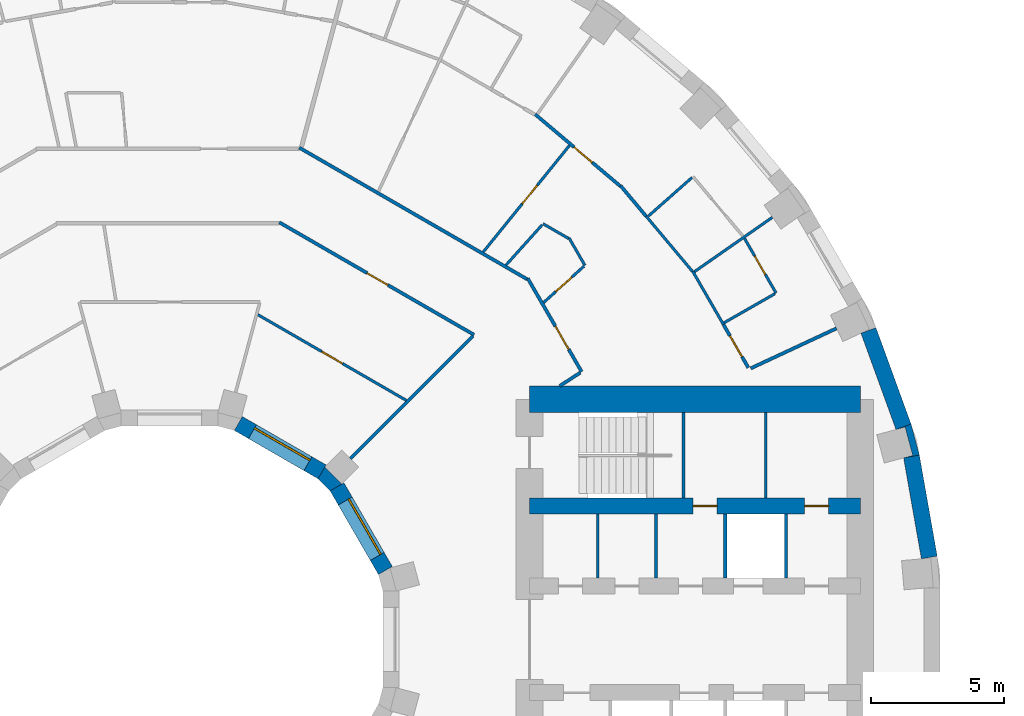
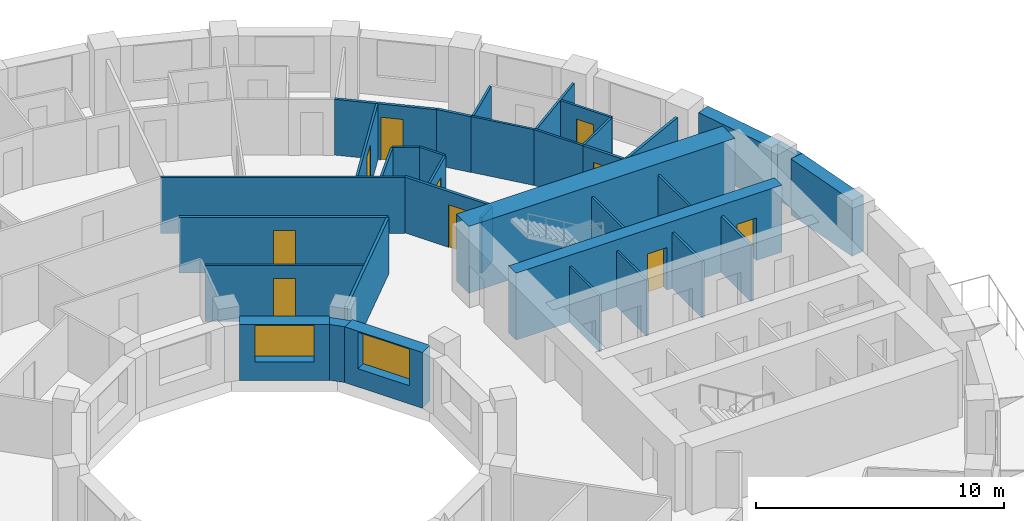
# One storey, part 12 of 15: 35 walls, 10 doors, 2 windows, 12 openings.
"""IFC4 building model written with IfcOpenShell, lengths in metres."""

from ifc_helpers import new_model, si_unit, direction, frame, frame_2d, origin, place, context, subcontext, project, spatial, polyline, rectangle, outline, extrude, material, layer, layer_set, type_object, element, fill, save


model = new_model("IFC4")

# Units and contexts
model_context = context("Model", 3, precision=1e-05, world=origin(), true_north=direction((0.0, 1.0)))
body_context = subcontext(model_context, "Body", "Model", "MODEL_VIEW")
ifc_project = project(units=[si_unit("LENGTHUNIT", "METRE"), si_unit("AREAUNIT", "SQUARE_METRE"), si_unit("VOLUMEUNIT", "CUBIC_METRE"), si_unit("PLANEANGLEUNIT", "RADIAN"), si_unit("MASSUNIT", "GRAM", prefix="KILO")], contexts=[model_context])

# Site, building, storey
site_placement = place(None, origin())
site = spatial("IfcSite", under=ifc_project, at=site_placement, CompositionType="ELEMENT")
building_placement = place(site_placement, origin())
building = spatial("IfcBuilding", under=site, at=building_placement, Name="Saqina Gate Tower", CompositionType="ELEMENT")
storey_placement = place(building_placement, frame((0.0, 0.0, 39.5)))
storey = spatial("IfcBuildingStorey", under=building, at=storey_placement, Name="L10", CompositionType="ELEMENT", Elevation=39.5)

# Walls
ifc_material_1 = material(Name="Brick masonry (red)", Category="masonry")
wall_type_1 = type_object("IfcWallType", Name="BRICK PIER COPING RED", PredefinedType="SOLIDWALL", material=ifc_material_1)
wall_1_placement = place(storey_placement, origin())
element("IfcWall", 1, at=wall_1_placement, inside=storey, type_object=wall_type_1, Name="Pier cap L10 column 2", PredefinedType="SOLIDWALL", context=body_context, shape_type="SweptSolid", body=[
    extrude(outline(polyline([(28.11669921875, 6.910400390625), (27.80517578125, 8.073974609375), (27.2412109375, 7.86865234375), (27.57958984375, 7.95947265625), (27.864501953125, 6.896728515625), (27.52587890625, 6.80615234375), (28.11669921875, 6.910400390625)])), origin(), (0.0, 0.0, 1.0), 2.75),
])
ifc_material_2 = material(Name="Gypsum board on steel studs", Category="steel")
ifc_layer_1 = layer(ifc_material_2, 0.10009765625)
ifc_layer_set_1 = layer_set([ifc_layer_1], Name="CORE PARTITION")
wall_type_2 = type_object("IfcWallType", Name="CORE PARTITION", PredefinedType="PARTITIONING", material=ifc_layer_set_1)
for number, where, z_axis, x_axis, name in (
    (2, (16.052001953125, 2.300048828125, 0.0), (0.0, 0.0, 1.0), (0.0, 1.0, 0.0), "L10-CP-E01"),
    (3, (18.24072265625, 2.300048828125, 0.0), (0.0, 0.0, 1.0), (0.0, 1.0, 0.0), "L10-CP-E02"),
):
    element("IfcWall", number, at=place(storey_placement, frame(where, z_axis=z_axis, x_axis=x_axis)), inside=storey, type_object=wall_type_2, Name=name, PredefinedType="PARTITIONING", context=body_context, shape_type="SweptSolid", body=[
        extrude(rectangle(XDim=2.39990234375, YDim=0.10009765625, at=frame_2d((1.199951171875, 0.0))), origin(), (0.0, 0.0, 1.0), 2.75),
    ])
wall_2_placement = place(storey_placement, frame((22.360107421875, 5.300048828125, 0.0), z_axis=(0.0, 0.0, 1.0), x_axis=(0.0, 1.0, 0.0)))
element("IfcWall", 4, at=wall_2_placement, inside=storey, type_object=wall_type_2, Name="L10-CP-E11", PredefinedType="PARTITIONING", context=body_context, shape_type="SweptSolid", body=[
    extrude(rectangle(XDim=3.199951171875, YDim=0.10009765625, at=frame_2d((1.60009765625, 0.0))), origin(), (0.0, 0.0, 1.0), 2.75),
])
ifc_material_3 = material(Name="Glazed ceramic tile", Category="ceramic")
ifc_layer_2 = layer(ifc_material_3, 0.60009765625)
ifc_layer_set_2 = layer_set([ifc_layer_2], Name="FW-TILE")
wall_type_3 = type_object("IfcWallType", Name="FW-TILE", PredefinedType="SOLIDWALL", material=ifc_layer_set_2)
wall_3_placement = place(storey_placement, frame((28.4892578125, 3.07080078125, 0.0), z_axis=(0.0, 0.0, 1.0), x_axis=(-0.173687553279, 0.984800809218, 0.0)))
element("IfcWall", 5, at=wall_3_placement, inside=storey, type_object=wall_type_3, Name="Facade wall L10 facet 1", PredefinedType="SOLIDWALL", context=body_context, shape_type="SweptSolid", body=[
    extrude(rectangle(XDim=3.845703125, YDim=0.60009765625, at=frame_2d((1.9228515625, 0.0))), origin(), (0.0, 0.0, 1.0), 2.75),
])
ifc_material_4 = material(Name="Glazed ceramic tile (white)", Category="ceramic")
ifc_layer_3 = layer(ifc_material_4, 0.60009765625)
ifc_layer_set_3 = layer_set([ifc_layer_3], Name="FW-TILE-WH")
wall_type_4 = type_object("IfcWallType", Name="FW-TILE-WH", PredefinedType="SOLIDWALL", material=ifc_layer_set_3)
wall_4_placement = place(storey_placement, frame((27.523193359375, 7.97119140625, 0.0), z_axis=(0.0, 0.0, 1.0), x_axis=(-0.342028474173, 0.939689588564, 0.0)))
element("IfcWall", 6, at=wall_4_placement, inside=storey, type_object=wall_type_4, Name="Facade wall L10 facet 2", PredefinedType="SOLIDWALL", context=body_context, shape_type="SweptSolid", body=[
    extrude(rectangle(XDim=3.845947265625, YDim=0.60009765625, at=frame_2d((1.9228515625, 0.0))), origin(), (0.0, 0.0, 1.0), 2.75),
])

# Wall, opening, window
ifc_material_5 = material(Name="Glazed ceramic tile", Category="ceramic")
ifc_layer_4 = layer(ifc_material_5, 0.60009765625)
ifc_layer_set_4 = layer_set([ifc_layer_4], Name="IW-TILE")
wall_type_5 = type_object("IfcWallType", Name="IW-TILE", PredefinedType="SOLIDWALL", material=ifc_layer_set_4)
wall_5_placement = place(storey_placement, frame((8.09423828125, 2.580322265625, 0.0), z_axis=(0.0, 0.0, 1.0), x_axis=(-0.499992569217, 0.866029693906, 0.0)))
wall_5 = element("IfcWall", 7, at=wall_5_placement, inside=storey, type_object=wall_type_5, Name="Well wall L10 facet 1", PredefinedType="SOLIDWALL", context=body_context, shape_type="SweptSolid", body=[
    extrude(rectangle(XDim=3.625, YDim=0.60009765625, at=frame_2d((1.8125, 0.0))), origin(), (0.0, 0.0, 1.0), 2.75),
])
opening_1_placement = place(wall_5_placement, frame((0.612548828125, 0.0, 0.89990234375)))
opening_1 = element("IfcOpeningElement", 8, at=opening_1_placement, cuts=wall_5, Name="Opening G02-W23", PredefinedType="OPENING", context=body_context, shape_type="SweptSolid", body=[
    extrude(rectangle(XDim=2.39990234375, YDim=1.800048828125, at=frame_2d((1.199951171875, 0.89990234375))), frame((0.0, 0.31201171875, 0.0), z_axis=(0.0, -1.0, 0.0), x_axis=(1.0, 0.0, 0.0)), (0.0, 0.0, 1.0), 0.6240234375),
])
ifc_material_6 = material(Name="Aluminium glazing", Category="aluminium")
window_type = type_object("IfcWindowType", Name="WN-W", PartitioningType="SINGLE_PANEL", PredefinedType="WINDOW", material=ifc_material_6)
window_1_placement = place(opening_1_placement, origin())
window_1 = element("IfcWindow", 9, at=window_1_placement, inside=storey, type_object=window_type, Name="Well window L10 facet 1", OverallHeight=1.800048828125, OverallWidth=2.39990234375, PartitioningType="SINGLE_PANEL", PredefinedType="WINDOW", context=body_context, shape_type="SweptSolid", body=[
    extrude(rectangle(XDim=2.39990234375, YDim=1.800048828125, at=frame_2d((1.199951171875, 0.89990234375))), frame((0.0, -0.119873046875, 0.0), z_axis=(0.0, -1.0, 0.0), x_axis=(1.0, 0.0, 0.0)), (0.0, 0.0, 1.0), 0.06005859375),
])
fill(opening_1, window_1)

wall_6_placement = place(storey_placement, frame((5.7197265625, 6.28173828125, 0.0), z_axis=(0.0, 0.0, 1.0), x_axis=(-0.866029693906, 0.499992569217, 0.0)))
wall_6 = element("IfcWall", 10, at=wall_6_placement, inside=storey, type_object=wall_type_5, Name="Well wall L10 facet 2", PredefinedType="SOLIDWALL", context=body_context, shape_type="SweptSolid", body=[
    extrude(rectangle(XDim=3.625, YDim=0.60009765625, at=frame_2d((1.8125, 0.0))), origin(), (0.0, 0.0, 1.0), 2.75),
])
opening_2_placement = place(wall_6_placement, frame((0.612548828125, 0.0, 0.89990234375)))
opening_2 = element("IfcOpeningElement", 11, at=opening_2_placement, cuts=wall_6, Name="Opening G02-W24", PredefinedType="OPENING", context=body_context, shape_type="SweptSolid", body=[
    extrude(rectangle(XDim=2.39990234375, YDim=1.800048828125, at=frame_2d((1.199951171875, 0.89990234375))), frame((0.0, 0.31201171875, 0.0), z_axis=(0.0, -1.0, 0.0), x_axis=(1.0, 0.0, 0.0)), (0.0, 0.0, 1.0), 0.6240234375),
])
window_2_placement = place(opening_2_placement, origin())
window_2 = element("IfcWindow", 12, at=window_2_placement, inside=storey, type_object=window_type, Name="Well window L10 facet 2", OverallHeight=1.800048828125, OverallWidth=2.39990234375, PartitioningType="SINGLE_PANEL", PredefinedType="WINDOW", context=body_context, shape_type="SweptSolid", body=[
    extrude(rectangle(XDim=2.39990234375, YDim=1.800048828125, at=frame_2d((1.199951171875, 0.89990234375))), frame((0.0, -0.119873046875, 0.0), z_axis=(0.0, -1.0, 0.0), x_axis=(1.0, 0.0, 0.0)), (0.0, 0.0, 1.0), 0.06005859375),
])
fill(opening_2, window_2)

# Walls
ifc_material_7 = material(Name="Gypsum board on steel studs, 100 mm", Category="steel")
ifc_layer_5 = layer(ifc_material_7, 0.10009765625)
ifc_layer_set_5 = layer_set([ifc_layer_5], Name="PARTITION 100")
wall_type_6 = type_object("IfcWallType", Name="PARTITION 100", PredefinedType="PARTITIONING", material=ifc_layer_set_5)
wall_7_placement = place(storey_placement, frame((14.97802734375, 15.056884765625, 0.0), z_axis=(0.0, 0.0, 1.0), x_axis=(0.500342374835, -0.865827643324, 0.0)))
element("IfcWall", 13, at=wall_7_placement, inside=storey, type_object=wall_type_6, Name="PARTITION PW3-25", PredefinedType="PARTITIONING", context=body_context, shape_type="SweptSolid", body=[
    extrude(rectangle(XDim=1.193115234375, YDim=0.10009765625, at=frame_2d((0.5966796875, 0.0))), origin(), (0.0, 0.0, 1.0), 2.75),
])
wall_8_placement = place(storey_placement, frame((19.61865234375, 13.799072265625, 0.0), z_axis=(0.0, 0.0, 1.0), x_axis=(0.500055369823, -0.865993433642, 0.0)))
element("IfcWall", 14, at=wall_8_placement, inside=storey, type_object=wall_type_6, Name="PARTITION PW3-26", PredefinedType="PARTITIONING", context=body_context, shape_type="SweptSolid", body=[
    extrude(rectangle(XDim=2.306396484375, YDim=0.10009765625, at=frame_2d((1.1533203125, 0.0))), origin(), (0.0, 0.0, 1.0), 2.75),
])

# Wall, opening, door
wall_9_placement = place(storey_placement, frame((21.56005859375, 15.03564453125, 0.0), z_axis=(0.0, 0.0, 1.0), x_axis=(0.499987246797, -0.866032766724, 0.0)))
wall_9 = element("IfcWall", 15, at=wall_9_placement, inside=storey, type_object=wall_type_6, Name="PARTITION PW3-27", PredefinedType="PARTITIONING", context=body_context, shape_type="SweptSolid", body=[
    extrude(rectangle(XDim=2.36767578125, YDim=0.10009765625, at=frame_2d((1.183837890625, 0.0))), origin(), (0.0, 0.0, 1.0), 2.75),
])
opening_3_placement = place(wall_9_placement, frame((0.759033203125, 0.0, 0.0)))
opening_3 = element("IfcOpeningElement", 16, at=opening_3_placement, cuts=wall_9, Name="Opening G02-D02", PredefinedType="OPENING", context=body_context, shape_type="SweptSolid", body=[
    extrude(rectangle(XDim=0.800048828125, YDim=2.10009765625, at=frame_2d((0.39990234375, 1.050048828125))), frame((0.0, 0.06201171875, 0.0), z_axis=(0.0, -1.0, 0.0), x_axis=(1.0, 0.0, 0.0)), (0.0, 0.0, 1.0), 0.1240234375),
])
ifc_material_8 = material(Name="Timber door leaf, 800 mm", Category="wood")
door_type_1 = type_object("IfcDoorType", Name="DOOR 800 TIMBER", OperationType="SINGLE_SWING_LEFT", PredefinedType="DOOR", material=ifc_material_8)
door_1_placement = place(opening_3_placement, origin())
door_1 = element("IfcDoor", 17, at=door_1_placement, inside=storey, type_object=door_type_1, Name="DOOR G02-D02", OperationType="SINGLE_SWING_LEFT", OverallHeight=2.10009765625, OverallWidth=0.800048828125, PredefinedType="DOOR", context=body_context, shape_type="SweptSolid", body=[
    extrude(rectangle(XDim=0.800048828125, YDim=2.10009765625, at=frame_2d((0.39990234375, 1.050048828125))), frame((0.0, 0.02490234375, 0.0), z_axis=(0.0, -1.0, 0.0), x_axis=(1.0, 0.0, 0.0)), (0.0, 0.0, 1.0), 0.050048828125),
])
fill(opening_3, door_1)

# Wall
wall_10_placement = place(storey_placement, frame((17.872802734375, 15.865234375, 0.0), z_axis=(0.0, 0.0, 1.0), x_axis=(0.642870303164, -0.765975047446, 0.0)))
element("IfcWall", 18, at=wall_10_placement, inside=storey, type_object=wall_type_6, Name="PARTITION PW3-32", PredefinedType="PARTITIONING", context=body_context, shape_type="SweptSolid", body=[
    extrude(rectangle(XDim=2.705078125, YDim=0.10009765625, at=frame_2d((1.3525390625, 0.0))), origin(), (0.0, 0.0, 1.0), 2.75),
])

# Wall, opening, door
wall_11_placement = place(storey_placement, frame((3.312744140625, 12.1748046875, 0.0), z_axis=(0.0, 0.0, 1.0), x_axis=(0.866015366624, -0.500017384468, 0.0)))
wall_11 = element("IfcWall", 19, at=wall_11_placement, inside=storey, type_object=wall_type_6, Name="PARTITION PW3-45", PredefinedType="PARTITIONING", context=body_context, shape_type="SweptSolid", body=[
    extrude(rectangle(XDim=6.425048828125, YDim=0.10009765625, at=frame_2d((3.21240234375, 0.0))), origin(), (0.0, 0.0, 1.0), 2.75),
])
opening_4_placement = place(wall_11_placement, frame((2.7685546875, 0.0, 0.0)))
opening_4 = element("IfcOpeningElement", 20, at=opening_4_placement, cuts=wall_11, Name="Opening G02-D09", PredefinedType="OPENING", context=body_context, shape_type="SweptSolid", body=[
    extrude(rectangle(XDim=0.89990234375, YDim=2.10009765625, at=frame_2d((0.449951171875, 1.050048828125))), frame((0.0, 0.06201171875, 0.0), z_axis=(0.0, -1.0, 0.0), x_axis=(1.0, 0.0, 0.0)), (0.0, 0.0, 1.0), 0.1240234375),
])
ifc_material_9 = material(Name="Timber door leaf, 900 mm", Category="wood")
door_type_2 = type_object("IfcDoorType", Name="DOOR 900 TIMBER", OperationType="SINGLE_SWING_LEFT", PredefinedType="DOOR", material=ifc_material_9)
door_2_placement = place(opening_4_placement, origin())
door_2 = element("IfcDoor", 21, at=door_2_placement, inside=storey, type_object=door_type_2, Name="DOOR G02-D09", OperationType="SINGLE_SWING_RIGHT", OverallHeight=2.10009765625, OverallWidth=0.89990234375, PredefinedType="DOOR", context=body_context, shape_type="SweptSolid", body=[
    extrude(rectangle(XDim=0.89990234375, YDim=2.10009765625, at=frame_2d((0.449951171875, 1.050048828125))), frame((0.0, 0.02490234375, 0.0), z_axis=(0.0, -1.0, 0.0), x_axis=(1.0, 0.0, 0.0)), (0.0, 0.0, 1.0), 0.050048828125),
])
fill(opening_4, door_2)

# Walls
wall_12_placement = place(storey_placement, frame((14.008056640625, 15.5830078125, 0.0), z_axis=(0.0, 0.0, 1.0), x_axis=(0.866288740656, -0.49954360952, 0.0)))
element("IfcWall", 22, at=wall_12_placement, inside=storey, type_object=wall_type_6, Name="PARTITION PW3-46", PredefinedType="PARTITIONING", context=body_context, shape_type="SweptSolid", body=[
    extrude(rectangle(XDim=1.10302734375, YDim=0.10009765625, at=frame_2d((0.551513671875, 0.0))), origin(), (0.0, 0.0, 1.0), 2.75),
])
wall_13_placement = place(storey_placement, frame((20.79052734375, 11.869873046875, 0.0), z_axis=(0.0, 0.0, 1.0), x_axis=(0.86847529617, 0.495732447942, 0.0)))
element("IfcWall", 23, at=wall_13_placement, inside=storey, type_object=wall_type_6, Name="PARTITION PW3-74", PredefinedType="PARTITIONING", context=body_context, shape_type="SweptSolid", body=[
    extrude(rectangle(XDim=2.199462890625, YDim=0.10009765625, at=frame_2d((1.099609375, 0.0))), origin(), (0.0, 0.0, 1.0), 2.75),
])
wall_14_placement = place(storey_placement, frame((19.6826171875, 13.786865234375, 0.0), z_axis=(0.0, 0.0, 1.0), x_axis=(0.820194321254, 0.57208502461, 0.0)))
element("IfcWall", 24, at=wall_14_placement, inside=storey, type_object=wall_type_6, Name="PARTITION PW3-83", PredefinedType="PARTITIONING", context=body_context, shape_type="SweptSolid", body=[
    extrude(rectangle(XDim=3.55908203125, YDim=0.10009765625, at=frame_2d((1.779541015625, 0.0))), origin(), (0.0, 0.0, 1.0), 2.75),
])
wall_15_placement = place(storey_placement, frame((17.951904296875, 15.868408203125, 0.0), z_axis=(0.0, 0.0, 1.0), x_axis=(0.749222226859, 0.662318695781, 0.0)))
element("IfcWall", 25, at=wall_15_placement, inside=storey, type_object=wall_type_6, Name="PARTITION PW3-87", PredefinedType="PARTITIONING", context=body_context, shape_type="SweptSolid", body=[
    extrude(rectangle(XDim=2.1884765625, YDim=0.10009765625, at=frame_2d((1.09423828125, 0.0))), origin(), (0.0, 0.0, 1.0), 2.75),
])

# Wall, opening, door
wall_16_placement = place(storey_placement, frame((14.0263671875, 12.62890625, 0.0), z_axis=(0.0, 0.0, 1.0), x_axis=(0.742989731373, 0.669302815678, 0.0)))
wall_16 = element("IfcWall", 26, at=wall_16_placement, inside=storey, type_object=wall_type_6, Name="PARTITION PW3-88", PredefinedType="PARTITIONING", context=body_context, shape_type="SweptSolid", body=[
    extrude(rectangle(XDim=2.034423828125, YDim=0.10009765625, at=frame_2d((1.01708984375, 0.0))), origin(), (0.0, 0.0, 1.0), 2.75),
])
opening_5_placement = place(wall_16_placement, frame((0.61083984375, 0.0, 0.0)))
opening_5 = element("IfcOpeningElement", 27, at=opening_5_placement, cuts=wall_16, Name="Opening G02-D05", PredefinedType="OPENING", context=body_context, shape_type="SweptSolid", body=[
    extrude(rectangle(XDim=0.800048828125, YDim=2.10009765625, at=frame_2d((0.39990234375, 1.050048828125))), frame((0.0, 0.06201171875, 0.0), z_axis=(0.0, -1.0, 0.0), x_axis=(1.0, 0.0, 0.0)), (0.0, 0.0, 1.0), 0.1240234375),
])
door_3_placement = place(opening_5_placement, frame((0.800048828125, 0.0, 0.0), z_axis=(0.0, 0.0, 1.0), x_axis=(-1.0, 0.0, 0.0)))
door_3 = element("IfcDoor", 28, at=door_3_placement, inside=storey, type_object=door_type_1, Name="DOOR G02-D05", OperationType="SINGLE_SWING_RIGHT", OverallHeight=2.10009765625, OverallWidth=0.800048828125, PredefinedType="DOOR", context=body_context, shape_type="SweptSolid", body=[
    extrude(rectangle(XDim=0.800048828125, YDim=2.10009765625, at=frame_2d((0.39990234375, 1.050048828125))), frame((0.0, 0.02490234375, 0.0), z_axis=(0.0, -1.0, 0.0), x_axis=(1.0, 0.0, 0.0)), (0.0, 0.0, 1.0), 0.050048828125),
])
fill(opening_5, door_3)

# Wall
wall_17_placement = place(storey_placement, frame((12.615966796875, 14.03369140625, 0.0), z_axis=(0.0, 0.0, 1.0), x_axis=(0.668327519136, 0.743867143491, 0.0)))
element("IfcWall", 29, at=wall_17_placement, inside=storey, type_object=wall_type_6, Name="PARTITION PW3-90", PredefinedType="PARTITIONING", context=body_context, shape_type="SweptSolid", body=[
    extrude(rectangle(XDim=2.032958984375, YDim=0.10009765625, at=frame_2d((1.0166015625, 0.0))), origin(), (0.0, 0.0, 1.0), 2.75),
])

# Wall, opening, door
wall_18_placement = place(storey_placement, frame((11.763427734375, 14.526611328125, 0.0), z_axis=(0.0, 0.0, 1.0), x_axis=(0.629330794749, 0.777137536592, 0.0)))
wall_18 = element("IfcWall", 30, at=wall_18_placement, inside=storey, type_object=wall_type_6, Name="PARTITION PW3-94", PredefinedType="PARTITIONING", context=body_context, shape_type="SweptSolid", body=[
    extrude(rectangle(XDim=5.138671875, YDim=0.10009765625, at=frame_2d((2.5693359375, 0.0))), origin(), (0.0, 0.0, 1.0), 2.75),
])
opening_6_placement = place(wall_18_placement, frame((2.319580078125, 0.0, 0.0)))
opening_6 = element("IfcOpeningElement", 31, at=opening_6_placement, cuts=wall_18, Name="Opening G02-D07", PredefinedType="OPENING", context=body_context, shape_type="SweptSolid", body=[
    extrude(rectangle(XDim=0.89990234375, YDim=2.10009765625, at=frame_2d((0.449951171875, 1.050048828125))), frame((0.0, 0.06201171875, 0.0), z_axis=(0.0, -1.0, 0.0), x_axis=(1.0, 0.0, 0.0)), (0.0, 0.0, 1.0), 0.1240234375),
])
door_4_placement = place(opening_6_placement, frame((0.89990234375, 0.0, 0.0), z_axis=(0.0, 0.0, 1.0), x_axis=(-1.0, 0.0, 0.0)))
door_4 = element("IfcDoor", 32, at=door_4_placement, inside=storey, type_object=door_type_2, Name="DOOR G02-D07", OperationType="SINGLE_SWING_LEFT", OverallHeight=2.10009765625, OverallWidth=0.89990234375, PredefinedType="DOOR", context=body_context, shape_type="SweptSolid", body=[
    extrude(rectangle(XDim=0.89990234375, YDim=2.10009765625, at=frame_2d((0.449951171875, 1.050048828125))), frame((0.0, 0.02490234375, 0.0), z_axis=(0.0, -1.0, 0.0), x_axis=(1.0, 0.0, 0.0)), (0.0, 0.0, 1.0), 0.050048828125),
])
fill(opening_6, door_4)

ifc_material_10 = material(Name="Gypsum board on steel studs, 125 mm, fire rated", Category="steel")
ifc_layer_6 = layer(ifc_material_10, 0.125)
ifc_layer_set_6 = layer_set([ifc_layer_6], Name="PARTITION EI 30 125")
wall_type_7 = type_object("IfcWallType", Name="PARTITION EI 30 125", PredefinedType="PARTITIONING", material=ifc_layer_set_6)
wall_19_placement = place(storey_placement, frame((13.433837890625, 13.532470703125, 0.0), z_axis=(0.0, 0.0, 1.0), x_axis=(0.499949220301, -0.866054719472, 0.0)))
wall_19 = element("IfcWall", 33, at=wall_19_placement, inside=storey, type_object=wall_type_7, Name="PARTITION PW1-04", PredefinedType="PARTITIONING", context=body_context, shape_type="SweptSolid", body=[
    extrude(rectangle(XDim=4.03857421875, YDim=0.125, at=frame_2d((2.019287109375, 0.0))), origin(), (0.0, 0.0, 1.0), 2.75),
])
opening_7_placement = place(wall_19_placement, frame((2.065185546875, 0.0, 0.0)))
opening_7 = element("IfcOpeningElement", 34, at=opening_7_placement, cuts=wall_19, Name="Opening G02-D03", PredefinedType="OPENING", context=body_context, shape_type="SweptSolid", body=[
    extrude(rectangle(XDim=1.0, YDim=2.10009765625, at=frame_2d((0.5, 1.050048828125))), frame((0.0, 0.074462890625, 0.0), z_axis=(0.0, -1.0, 0.0), x_axis=(1.0, 0.0, 0.0)), (0.0, 0.0, 1.0), 0.14892578125),
])
ifc_material_11 = material(Name="Fire door leaf EI 30, 1000 mm")
door_type_3 = type_object("IfcDoorType", Name="DOOR 1000 EI 30", OperationType="SINGLE_SWING_LEFT", PredefinedType="DOOR", material=ifc_material_11)
door_5_placement = place(opening_7_placement, origin())
door_5 = element("IfcDoor", 35, at=door_5_placement, inside=storey, type_object=door_type_3, Name="DOOR G02-D03", OperationType="SINGLE_SWING_RIGHT", OverallHeight=2.10009765625, OverallWidth=1.0, PredefinedType="DOOR", context=body_context, shape_type="SweptSolid", body=[
    extrude(rectangle(XDim=1.0, YDim=2.10009765625, at=frame_2d((0.5, 1.050048828125))), frame((0.0, 0.02490234375, 0.0), z_axis=(0.0, -1.0, 0.0), x_axis=(1.0, 0.0, 0.0)), (0.0, 0.0, 1.0), 0.050048828125),
])
fill(opening_7, door_5)

wall_20_placement = place(storey_placement, frame((20.77197265625, 11.8017578125, 0.0), z_axis=(0.0, 0.0, 1.0), x_axis=(0.499862453367, -0.866104801807, 0.0)))
wall_20 = element("IfcWall", 36, at=wall_20_placement, inside=storey, type_object=wall_type_7, Name="PARTITION PW1-05", PredefinedType="PARTITIONING", context=body_context, shape_type="SweptSolid", body=[
    extrude(rectangle(XDim=1.86181640625, YDim=0.125, at=frame_2d((0.930908203125, 0.0))), origin(), (0.0, 0.0, 1.0), 2.75),
])
opening_8_placement = place(wall_20_placement, frame((0.486083984375, 0.0, 0.0)))
opening_8 = element("IfcOpeningElement", 37, at=opening_8_placement, cuts=wall_20, Name="Opening G02-D01", PredefinedType="OPENING", context=body_context, shape_type="SweptSolid", body=[
    extrude(rectangle(XDim=0.89990234375, YDim=2.10009765625, at=frame_2d((0.449951171875, 1.050048828125))), frame((0.0, 0.074462890625, 0.0), z_axis=(0.0, -1.0, 0.0), x_axis=(1.0, 0.0, 0.0)), (0.0, 0.0, 1.0), 0.14892578125),
])
ifc_material_12 = material(Name="Fire door leaf EI 30, 900 mm")
door_type_4 = type_object("IfcDoorType", Name="DOOR 900 EI 30", OperationType="SINGLE_SWING_LEFT", PredefinedType="DOOR", material=ifc_material_12)
door_6_placement = place(opening_8_placement, frame((0.89990234375, 0.0, 0.0), z_axis=(0.0, 0.0, 1.0), x_axis=(-1.0, 0.0, 0.0)))
door_6 = element("IfcDoor", 38, at=door_6_placement, inside=storey, type_object=door_type_4, Name="DOOR G02-D01", OperationType="SINGLE_SWING_LEFT", OverallHeight=2.10009765625, OverallWidth=0.89990234375, PredefinedType="DOOR", context=body_context, shape_type="SweptSolid", body=[
    extrude(rectangle(XDim=0.89990234375, YDim=2.10009765625, at=frame_2d((0.449951171875, 1.050048828125))), frame((0.0, 0.02490234375, 0.0), z_axis=(0.0, -1.0, 0.0), x_axis=(1.0, 0.0, 0.0)), (0.0, 0.0, 1.0), 0.050048828125),
])
fill(opening_8, door_6)

# Wall
wall_21_placement = place(storey_placement, frame((16.916259765625, 17.005615234375, 0.0), z_axis=(0.0, 0.0, 1.0), x_axis=(0.642649535047, -0.766160280297, 0.0)))
element("IfcWall", 39, at=wall_21_placement, inside=storey, type_object=wall_type_7, Name="PARTITION PW1-08", PredefinedType="PARTITIONING", context=body_context, shape_type="SweptSolid", body=[
    extrude(rectangle(XDim=1.488525390625, YDim=0.125, at=frame_2d((0.744140625, 0.0))), origin(), (0.0, 0.0, 1.0), 2.75),
])

# Wall, opening, door
wall_22_placement = place(storey_placement, frame((13.708984375, 19.689208984375, 0.0), z_axis=(0.0, 0.0, 1.0), x_axis=(0.764384092804, -0.644761164051, 0.0)))
wall_22 = element("IfcWall", 40, at=wall_22_placement, inside=storey, type_object=wall_type_7, Name="PARTITION PW1-11", PredefinedType="PARTITIONING", context=body_context, shape_type="SweptSolid", body=[
    extrude(rectangle(XDim=4.181884765625, YDim=0.125, at=frame_2d((2.0908203125, 0.0))), origin(), (0.0, 0.0, 1.0), 2.75),
])
opening_9_placement = place(wall_22_placement, frame((1.904296875, 0.0, 0.0)))
opening_9 = element("IfcOpeningElement", 41, at=opening_9_placement, cuts=wall_22, Name="Opening G02-D06", PredefinedType="OPENING", context=body_context, shape_type="SweptSolid", body=[
    extrude(rectangle(XDim=0.89990234375, YDim=2.10009765625, at=frame_2d((0.449951171875, 1.050048828125))), frame((0.0, 0.074462890625, 0.0), z_axis=(0.0, -1.0, 0.0), x_axis=(1.0, 0.0, 0.0)), (0.0, 0.0, 1.0), 0.14892578125),
])
door_7_placement = place(opening_9_placement, frame((0.89990234375, 0.0, 0.0), z_axis=(0.0, 0.0, 1.0), x_axis=(-1.0, 0.0, 0.0)))
door_7 = element("IfcDoor", 42, at=door_7_placement, inside=storey, type_object=door_type_4, Name="DOOR G02-D06", OperationType="SINGLE_SWING_RIGHT", OverallHeight=2.10009765625, OverallWidth=0.89990234375, PredefinedType="DOOR", context=body_context, shape_type="SweptSolid", body=[
    extrude(rectangle(XDim=0.89990234375, YDim=2.10009765625, at=frame_2d((0.449951171875, 1.050048828125))), frame((0.0, 0.02490234375, 0.0), z_axis=(0.0, -1.0, 0.0), x_axis=(1.0, 0.0, 0.0)), (0.0, 0.0, 1.0), 0.050048828125),
])
fill(opening_9, door_7)

wall_23_placement = place(storey_placement, frame((4.117431640625, 15.635986328125, 0.0), z_axis=(0.0, 0.0, 1.0), x_axis=(0.866026957163, -0.49999730946, 0.0)))
wall_23 = element("IfcWall", 43, at=wall_23_placement, inside=storey, type_object=wall_type_7, Name="PARTITION PW1-19", PredefinedType="PARTITIONING", context=body_context, shape_type="SweptSolid", body=[
    extrude(rectangle(XDim=8.43212890625, YDim=0.125, at=frame_2d((4.216064453125, 0.0))), origin(), (0.0, 0.0, 1.0), 2.75),
])
opening_10_placement = place(wall_23_placement, frame((3.80224609375, 0.0, 0.0)))
opening_10 = element("IfcOpeningElement", 44, at=opening_10_placement, cuts=wall_23, Name="Opening G02-D10", PredefinedType="OPENING", context=body_context, shape_type="SweptSolid", body=[
    extrude(rectangle(XDim=0.89990234375, YDim=2.10009765625, at=frame_2d((0.449951171875, 1.050048828125))), frame((0.0, 0.074462890625, 0.0), z_axis=(0.0, -1.0, 0.0), x_axis=(1.0, 0.0, 0.0)), (0.0, 0.0, 1.0), 0.14892578125),
])
door_8_placement = place(opening_10_placement, frame((0.89990234375, 0.0, 0.0), z_axis=(0.0, 0.0, 1.0), x_axis=(-1.0, 0.0, 0.0)))
door_8 = element("IfcDoor", 45, at=door_8_placement, inside=storey, type_object=door_type_4, Name="DOOR G02-D10", OperationType="SINGLE_SWING_LEFT", OverallHeight=2.10009765625, OverallWidth=0.89990234375, PredefinedType="DOOR", context=body_context, shape_type="SweptSolid", body=[
    extrude(rectangle(XDim=0.89990234375, YDim=2.10009765625, at=frame_2d((0.449951171875, 1.050048828125))), frame((0.0, 0.02490234375, 0.0), z_axis=(0.0, -1.0, 0.0), x_axis=(1.0, 0.0, 0.0)), (0.0, 0.0, 1.0), 0.050048828125),
])
fill(opening_10, door_8)

# Walls
wall_24_placement = place(storey_placement, frame((4.867431640625, 18.43603515625, 0.0), z_axis=(0.0, 0.0, 1.0), x_axis=(0.86605048973, -0.49995654735, 0.0)))
element("IfcWall", 46, at=wall_24_placement, inside=storey, type_object=wall_type_7, Name="PARTITION PW1-20", PredefinedType="PARTITIONING", context=body_context, shape_type="SweptSolid", body=[
    extrude(rectangle(XDim=9.87060546875, YDim=0.125, at=frame_2d((4.935302734375, 0.0))), origin(), (0.0, 0.0, 1.0), 2.75),
])
wall_25_placement = place(storey_placement, frame((21.79052734375, 10.161376953125, 0.0), z_axis=(0.0, 0.0, 1.0), x_axis=(0.906357161772, 0.422512361127, 0.0)))
element("IfcWall", 47, at=wall_25_placement, inside=storey, type_object=wall_type_7, Name="PARTITION PW1-37", PredefinedType="PARTITIONING", context=body_context, shape_type="SweptSolid", body=[
    extrude(rectangle(XDim=3.546630859375, YDim=0.125, at=frame_2d((1.7734375, 0.0))), origin(), (0.0, 0.0, 1.0), 2.75),
])
wall_26_placement = place(storey_placement, frame((14.62890625, 9.5, 0.0), z_axis=(0.0, 0.0, 1.0), x_axis=(0.838764779401, 0.544493934619, 0.0)))
element("IfcWall", 48, at=wall_26_placement, inside=storey, type_object=wall_type_7, Name="PARTITION PW1-45", PredefinedType="PARTITIONING", context=body_context, shape_type="SweptSolid", body=[
    extrude(rectangle(XDim=0.920166015625, YDim=0.125, at=frame_2d((0.4599609375, 0.0))), origin(), (0.0, 0.0, 1.0), 2.75),
])
wall_27_placement = place(storey_placement, frame((6.78271484375, 6.78271484375, 0.0), z_axis=(0.0, 0.0, 1.0), x_axis=(0.707106781187, 0.707106781187, 0.0)))
element("IfcWall", 49, at=wall_27_placement, inside=storey, type_object=wall_type_7, Name="PARTITION PW1-47", PredefinedType="PARTITIONING", context=body_context, shape_type="SweptSolid", body=[
    extrude(rectangle(XDim=6.49560546875, YDim=0.125, at=frame_2d((3.247802734375, 0.0))), origin(), (0.0, 0.0, 1.0), 2.75),
])
ifc_material_13 = material(Name="Autoclaved aerated concrete block", Category="concrete")
ifc_layer_7 = layer(ifc_material_13, 0.1201171875)
ifc_layer_set_7 = layer_set([ifc_layer_7], Name="SHAFT PARTITION")
wall_type_8 = type_object("IfcWallType", Name="SHAFT PARTITION", PredefinedType="PARTITIONING", material=ifc_layer_set_7)
for number, where, z_axis, x_axis, name in (
    (50, (20.840087890625, 2.300048828125, 0.0), (0.0, 0.0, 1.0), (0.0, 1.0, 0.0), "L10-CP-E03"),
    (51, (23.1201171875, 2.300048828125, 0.0), (0.0, 0.0, 1.0), (0.0, 1.0, 0.0), "L10-CP-E04"),
):
    element("IfcWall", number, at=place(storey_placement, frame(where, z_axis=z_axis, x_axis=x_axis)), inside=storey, type_object=wall_type_8, Name=name, PredefinedType="PARTITIONING", context=body_context, shape_type="SweptSolid", body=[
        extrude(rectangle(XDim=2.39990234375, YDim=0.1201171875, at=frame_2d((1.199951171875, 0.0))), origin(), (0.0, 0.0, 1.0), 2.75),
    ])
ifc_material_14 = material(Name="Autoclaved aerated concrete block", Category="concrete")
ifc_layer_8 = layer(ifc_material_14, 0.10009765625)
ifc_layer_set_8 = layer_set([ifc_layer_8], Name="STAIR ENCLOSURE WALL")
wall_type_9 = type_object("IfcWallType", Name="STAIR ENCLOSURE WALL", PredefinedType="PARTITIONING", material=ifc_layer_set_8)
wall_28_placement = place(storey_placement, frame((19.27001953125, 5.300048828125, 0.0), z_axis=(0.0, 0.0, 1.0), x_axis=(0.0, 1.0, 0.0)))
element("IfcWall", 52, at=wall_28_placement, inside=storey, type_object=wall_type_9, Name="L10-CP-E10", PredefinedType="PARTITIONING", context=body_context, shape_type="SweptSolid", body=[
    extrude(rectangle(XDim=3.199951171875, YDim=0.10009765625, at=frame_2d((1.60009765625, 0.0))), origin(), (0.0, 0.0, 1.0), 2.75),
])

# Wall, openings, doors
ifc_material_15 = material(Name="Concrete C70/85", Category="concrete")
ifc_layer_9 = layer(ifc_material_15, 0.60009765625)
ifc_layer_set_9 = layer_set([ifc_layer_9], Name="Concrete C70/85")
wall_type_10 = type_object("IfcWallType", Name="STR-CORE WALL-A-I", PredefinedType="SHEAR", material=ifc_layer_set_9)
wall_29_placement = place(storey_placement, frame((13.5, 5.0, 0.0), z_axis=(0.0, 0.0, 1.0), x_axis=(1.0, 0.0, 0.0)))
wall_29 = element("IfcWall", 53, at=wall_29_placement, inside=storey, type_object=wall_type_10, Name="CORE WALL L10 E-X1", PredefinedType="SHEAR", context=body_context, shape_type="SweptSolid", body=[
    extrude(rectangle(XDim=12.39990234375, YDim=0.60009765625, at=frame_2d((6.199951171875, 0.0))), origin(), (0.0, 0.0, 1.0), 3.300048828125),
])
opening_11_placement = place(wall_29_placement, frame((6.1298828125, 0.0, 0.0)))
opening_11 = element("IfcOpeningElement", 54, at=opening_11_placement, cuts=wall_29, Name="Opening G02-D96", PredefinedType="OPENING", context=body_context, shape_type="SweptSolid", body=[
    extrude(rectangle(XDim=0.89990234375, YDim=2.10009765625, at=frame_2d((0.449951171875, 1.050048828125))), frame((0.0, 0.31201171875, 0.0), z_axis=(0.0, -1.0, 0.0), x_axis=(1.0, 0.0, 0.0)), (0.0, 0.0, 1.0), 0.6240234375),
])
opening_12_placement = place(wall_29_placement, frame((10.31005859375, 0.0, 0.0)))
opening_12 = element("IfcOpeningElement", 55, at=opening_12_placement, cuts=wall_29, Name="Opening G02-D97", PredefinedType="OPENING", context=body_context, shape_type="SweptSolid", body=[
    extrude(rectangle(XDim=0.89990234375, YDim=2.10009765625, at=frame_2d((0.449951171875, 1.050048828125))), frame((0.0, 0.31201171875, 0.0), z_axis=(0.0, -1.0, 0.0), x_axis=(1.0, 0.0, 0.0)), (0.0, 0.0, 1.0), 0.6240234375),
])
ifc_material_16 = material(Name="Steel-framed fire door leaf, EI 60", Category="steel")
door_type_5 = type_object("IfcDoorType", Name="SERVICE ROOM DOOR 900", OperationType="SINGLE_SWING_LEFT", PredefinedType="DOOR", material=ifc_material_16)
door_9_placement = place(opening_11_placement, origin())
door_9 = element("IfcDoor", 56, at=door_9_placement, inside=storey, type_object=door_type_5, Name="L10-CD-E07", OperationType="SINGLE_SWING_LEFT", OverallHeight=2.10009765625, OverallWidth=0.89990234375, PredefinedType="DOOR", context=body_context, shape_type="SweptSolid", body=[
    extrude(rectangle(XDim=0.89990234375, YDim=2.10009765625, at=frame_2d((0.449951171875, 1.050048828125))), frame((0.0, 0.02490234375, 0.0), z_axis=(0.0, -1.0, 0.0), x_axis=(1.0, 0.0, 0.0)), (0.0, 0.0, 1.0), 0.050048828125),
])
fill(opening_11, door_9)
door_10_placement = place(opening_12_placement, origin())
door_10 = element("IfcDoor", 57, at=door_10_placement, inside=storey, type_object=door_type_5, Name="L10-CD-E08", OperationType="SINGLE_SWING_RIGHT", OverallHeight=2.10009765625, OverallWidth=0.89990234375, PredefinedType="DOOR", context=body_context, shape_type="SweptSolid", body=[
    extrude(rectangle(XDim=0.89990234375, YDim=2.10009765625, at=frame_2d((0.449951171875, 1.050048828125))), frame((0.0, 0.02490234375, 0.0), z_axis=(0.0, -1.0, 0.0), x_axis=(1.0, 0.0, 0.0)), (0.0, 0.0, 1.0), 0.050048828125),
])
fill(opening_12, door_10)

# Walls
ifc_material_17 = material(Name="Concrete C70/85", Category="concrete")
ifc_layer_10 = layer(ifc_material_17, 1.0)
ifc_layer_set_10 = layer_set([ifc_layer_10], Name="Concrete C70/85")
wall_type_11 = type_object("IfcWallType", Name="STR-CORE WALL-A-O", PredefinedType="SHEAR", material=ifc_layer_set_10)
wall_30_placement = place(storey_placement, frame((13.5, 9.0, 0.0), z_axis=(0.0, 0.0, 1.0), x_axis=(1.0, 0.0, 0.0)))
element("IfcWall", 58, at=wall_30_placement, inside=storey, type_object=wall_type_11, Name="CORE WALL L10 E-NE", PredefinedType="SHEAR", context=body_context, shape_type="SweptSolid", body=[
    extrude(rectangle(XDim=12.39990234375, YDim=1.0, at=frame_2d((6.199951171875, 0.0))), origin(), (0.0, 0.0, 1.0), 3.300048828125),
])
ifc_material_18 = material(Name="Glazed ceramic tile", Category="ceramic")
wall_type_12 = type_object("IfcWallType", Name="TILE PIER COPING", PredefinedType="SOLIDWALL", material=ifc_material_18)
wall_31_placement = place(storey_placement, origin())
element("IfcWall", 59, at=wall_31_placement, inside=storey, type_object=wall_type_12, Name="Well pier cap L10 column 2", PredefinedType="SOLIDWALL", context=body_context, shape_type="SweptSolid", body=[
    extrude(outline(polyline([(5.821044921875, 6.45751953125), (5.569580078125, 6.02197265625), (6.02197265625, 5.569580078125), (6.45751953125, 5.821044921875), (5.821044921875, 6.45751953125)])), origin(), (0.0, 0.0, 1.0), 2.75),
])

save(model, "model.ifc")
